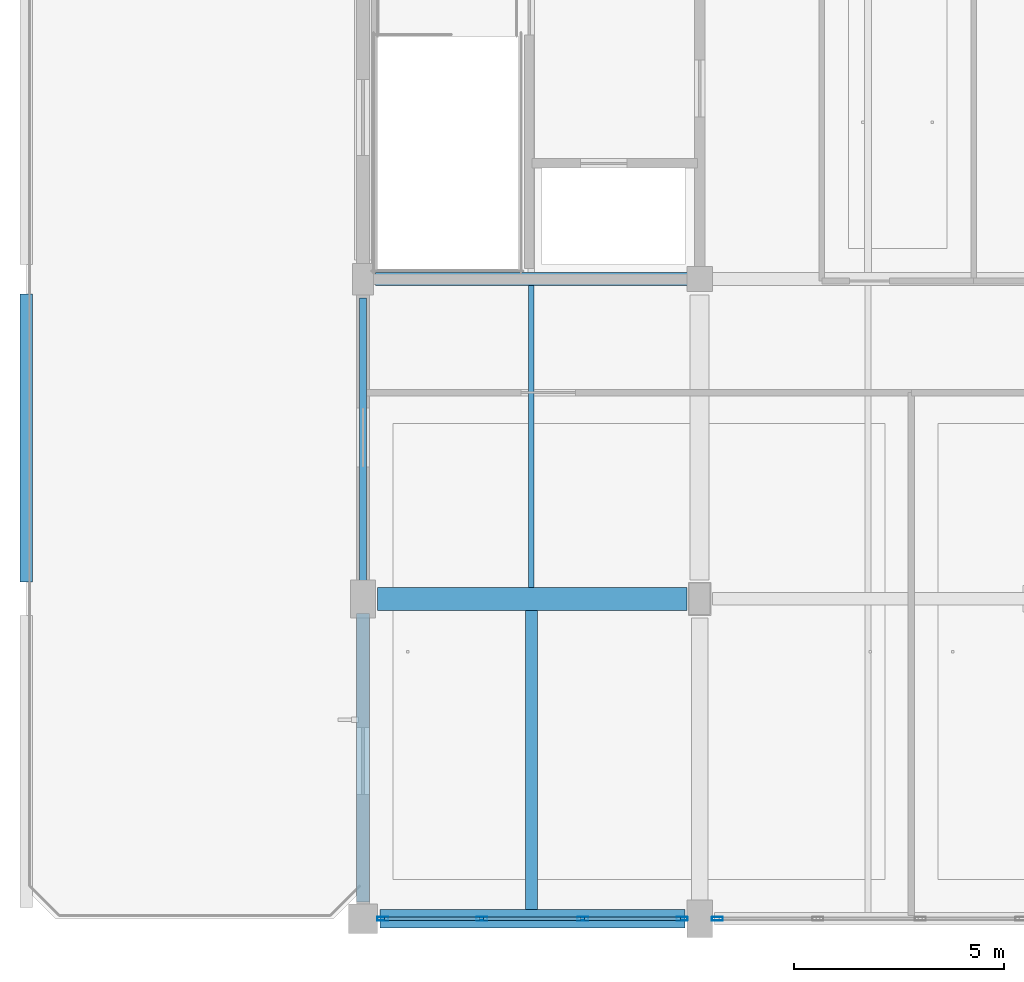
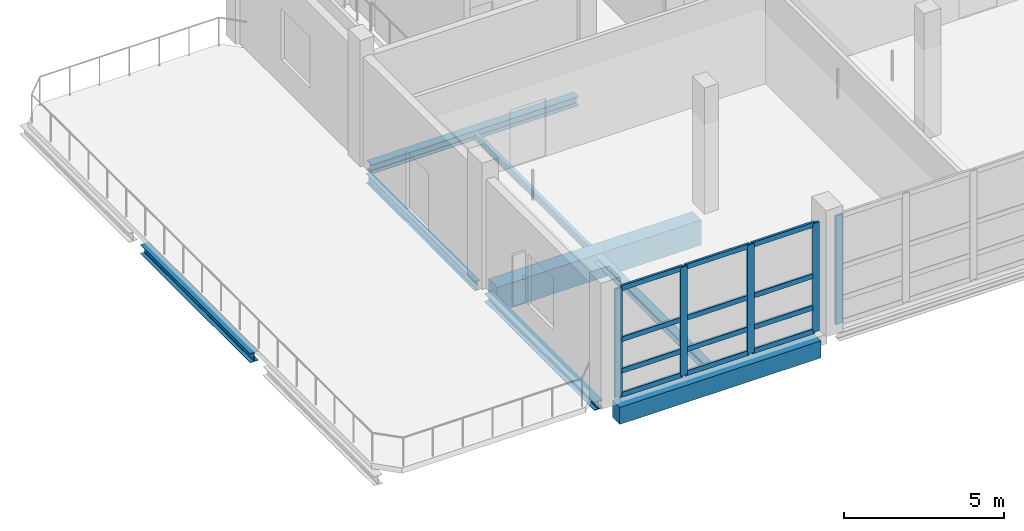
# One storey, part 2 of 18: 17 members, 8 beams, 2 elements without a shape of their own.
"""IFC4 building model written with IfcOpenShell, lengths in metres."""

from ifc_helpers import new_model, si_unit, direction, frame, origin, origin_2d, place, context, subcontext, project, spatial, rectangle, hollow_rectangle, i_section, extrude, material, material_profile, profile_set, type_object, element, aggregate, save


model = new_model("IFC4")

# Units and contexts
model_context = context("Model", 3, precision=1e-05, world=origin(), true_north=direction((0.0, 1.0)))
body_context = subcontext(model_context, "Body", "Model", "MODEL_VIEW")
ifc_project = project(units=[si_unit("LENGTHUNIT", "METRE"), si_unit("AREAUNIT", "SQUARE_METRE"), si_unit("VOLUMEUNIT", "CUBIC_METRE"), si_unit("PLANEANGLEUNIT", "RADIAN"), si_unit("MASSUNIT", "GRAM", prefix="KILO")], contexts=[model_context])

# Site, building, storey
site_placement = place(None, origin())
site = spatial("IfcSite", under=ifc_project, at=site_placement, CompositionType="ELEMENT")
building_placement = place(site_placement, origin())
building = spatial("IfcBuilding", under=site, at=building_placement, Name="Khelvaren Railside Concert Hall", CompositionType="ELEMENT")
storey_placement = place(building_placement, frame((0.0, 0.0, 24.60009765625)))
storey = spatial("IfcBuildingStorey", under=building, at=storey_placement, Name="L05", CompositionType="ELEMENT", Elevation=24.60009765625)

# Beam
ifc_material_1 = material(Name="Steel S355", Category="steel")
ifc_material_profile_1 = material_profile(ifc_material_1, i_section(OverallWidth=0.300048828125, OverallDepth=0.35009765625, WebThickness=0.010009765625, FlangeThickness=0.017578125, FilletRadius=0.027099609375, at=origin_2d()), Name="HEA 360")
ifc_profile_set_1 = profile_set([ifc_material_profile_1], Name="Steel S355")
beam_type_1 = type_object("IfcBeamType", Name="BM73", PredefinedType="BEAM", material=ifc_profile_set_1)
beam_1_placement = place(storey_placement, frame((144.300048828125, 106.39990234375, -0.43505859375), z_axis=(1.0, 0.0, 0.0), x_axis=(0.0, 1.0, 0.0)))
element("IfcBeam", 1, at=beam_1_placement, inside=storey, type_object=beam_type_1, Name="V5 L05 Beam X4.3", PredefinedType="BEAM", context=body_context, shape_type="SweptSolid", body=[
    extrude(i_section(OverallWidth=0.300048828125, OverallDepth=0.35009765625, WebThickness=0.010009765625, FlangeThickness=0.017578125, FilletRadius=0.027099609375, at=origin_2d()), origin(), (0.0, 0.0, 1.0), 7.449951171875),
])

# Curtain wall, members
ifc_material_2 = material(Name="Acoustic laminated crystal facade glass", Category="glass")
curtain_wall_type_1 = type_object("IfcCurtainWallType", Name="CW54", PredefinedType="USERDEFINED", material=ifc_material_2)
curtain_wall_1_placement = place(storey_placement, origin())
curtain_wall_1 = element("IfcCurtainWall", 2, at=curtain_wall_1_placement, inside=storey, type_object=curtain_wall_type_1, Name="Unitised Curtain Wall CW-V5-L05-S-144", ObjectType="UNITISED CURTAIN WALL", PredefinedType="USERDEFINED")
ifc_material_3 = material(Name="Anodised architectural aluminium 6063-T6", Category="aluminium")
ifc_material_profile_2 = material_profile(ifc_material_3, hollow_rectangle(XDim=0.0849609375, YDim=0.260009765625, WallThickness=0.0048828125, InnerFilletRadius=0.0029296875, OuterFilletRadius=0.0048828125, at=origin_2d()), Name="CWM 85x260x5")
ifc_profile_set_2 = profile_set([ifc_material_profile_2], Name="Anodised architectural aluminium 6063-T6")
member_type_1 = type_object("IfcMemberType", Name="CWM40", PredefinedType="MULLION", material=ifc_profile_set_2)
member_1_placement = place(storey_placement, frame((151.580078125, 91.199951171875, 0.0), z_axis=(0.0, 0.0, 1.0), x_axis=(0.0, -1.0, 0.0)))
member_1 = element("IfcMember", 3, at=member_1_placement, type_object=member_type_1, Name="CW54 mullion 1", PredefinedType="MULLION", context=body_context, shape_type="SweptSolid", body=[
    extrude(hollow_rectangle(XDim=0.0849609375, YDim=0.260009765625, WallThickness=0.0048828125, InnerFilletRadius=0.0029296875, OuterFilletRadius=0.0048828125, at=origin_2d()), origin(), (0.0, 0.0, 1.0), 4.139892578125),
])
member_2_placement = place(storey_placement, frame((149.22412109375, 91.199951171875, 0.0), z_axis=(0.0, 0.0, 1.0), x_axis=(0.0, -1.0, 0.0)))
member_2 = element("IfcMember", 4, at=member_2_placement, type_object=member_type_1, Name="CW54 mullion 2", PredefinedType="MULLION", context=body_context, shape_type="SweptSolid", body=[
    extrude(hollow_rectangle(XDim=0.0849609375, YDim=0.260009765625, WallThickness=0.0048828125, InnerFilletRadius=0.0029296875, OuterFilletRadius=0.0048828125, at=origin_2d()), origin(), (0.0, 0.0, 1.0), 4.139892578125),
])
member_3_placement = place(storey_placement, frame((146.825927734375, 91.199951171875, 0.0), z_axis=(0.0, 0.0, 1.0), x_axis=(0.0, -1.0, 0.0)))
member_3 = element("IfcMember", 5, at=member_3_placement, type_object=member_type_1, Name="CW54 mullion 3", PredefinedType="MULLION", context=body_context, shape_type="SweptSolid", body=[
    extrude(hollow_rectangle(XDim=0.0849609375, YDim=0.260009765625, WallThickness=0.0048828125, InnerFilletRadius=0.0029296875, OuterFilletRadius=0.0048828125, at=origin_2d()), origin(), (0.0, 0.0, 1.0), 4.139892578125),
])
member_4_placement = place(storey_placement, frame((144.469970703125, 91.199951171875, 0.0), z_axis=(0.0, 0.0, 1.0), x_axis=(0.0, -1.0, 0.0)))
member_4 = element("IfcMember", 6, at=member_4_placement, type_object=member_type_1, Name="CW54 mullion 4", PredefinedType="MULLION", context=body_context, shape_type="SweptSolid", body=[
    extrude(hollow_rectangle(XDim=0.0849609375, YDim=0.260009765625, WallThickness=0.0048828125, InnerFilletRadius=0.0029296875, OuterFilletRadius=0.0048828125, at=origin_2d()), origin(), (0.0, 0.0, 1.0), 4.139892578125),
])

# Curtain wall, member
curtain_wall_type_2 = type_object("IfcCurtainWallType", Name="CW66", PredefinedType="USERDEFINED", material=ifc_material_2)
curtain_wall_2_placement = place(storey_placement, origin())
curtain_wall_2 = element("IfcCurtainWall", 7, at=curtain_wall_2_placement, inside=storey, type_object=curtain_wall_type_2, Name="Unitised Curtain Wall CW-V5-L05-S-152", ObjectType="UNITISED CURTAIN WALL", PredefinedType="USERDEFINED")
member_5_placement = place(storey_placement, frame((152.419921875, 91.199951171875, 0.0), z_axis=(0.0, 0.0, 1.0), x_axis=(0.0, -1.0, 0.0)))
member_5 = element("IfcMember", 8, at=member_5_placement, type_object=member_type_1, Name="CW66 mullion 4", PredefinedType="MULLION", context=body_context, shape_type="SweptSolid", body=[
    extrude(hollow_rectangle(XDim=0.0849609375, YDim=0.260009765625, WallThickness=0.0048828125, InnerFilletRadius=0.0029296875, OuterFilletRadius=0.0048828125, at=origin_2d()), origin(), (0.0, 0.0, 1.0), 4.139892578125),
])
aggregate(curtain_wall_2, [member_5])

# Member
ifc_material_profile_3 = material_profile(ifc_material_3, hollow_rectangle(XDim=0.0849609375, YDim=0.18994140625, WallThickness=0.0048828125, InnerFilletRadius=0.0029296875, OuterFilletRadius=0.0048828125, at=origin_2d()), Name="CWT 85x190x5")
ifc_profile_set_3 = profile_set([ifc_material_profile_3], Name="Anodised architectural aluminium 6063-T6")
member_type_2 = type_object("IfcMemberType", Name="CWT31", PredefinedType="USERDEFINED", material=ifc_profile_set_3)
member_6_placement = place(storey_placement, frame((151.53759765625, 91.199951171875, 0.04248046875), z_axis=(-1.0, 0.0, 0.0), x_axis=(0.0, -1.0, 0.0)))
member_6 = element("IfcMember", 9, at=member_6_placement, type_object=member_type_2, Name="CW54 transom 1.1", ObjectType="TRANSOM", PredefinedType="USERDEFINED", context=body_context, shape_type="SweptSolid", body=[
    extrude(hollow_rectangle(XDim=0.0849609375, YDim=0.18994140625, WallThickness=0.0048828125, InnerFilletRadius=0.0029296875, OuterFilletRadius=0.0048828125, at=origin_2d()), origin(), (0.0, 0.0, 1.0), 2.27099609375),
])

member_7_placement = place(storey_placement, frame((151.53759765625, 91.199951171875, 0.949951171875), z_axis=(-1.0, 0.0, 0.0), x_axis=(0.0, -1.0, 0.0)))
member_7 = element("IfcMember", 10, at=member_7_placement, type_object=member_type_2, Name="CW54 transom 1.2", ObjectType="TRANSOM", PredefinedType="USERDEFINED", context=body_context, shape_type="SweptSolid", body=[
    extrude(hollow_rectangle(XDim=0.0849609375, YDim=0.18994140625, WallThickness=0.0048828125, InnerFilletRadius=0.0029296875, OuterFilletRadius=0.0048828125, at=origin_2d()), origin(), (0.0, 0.0, 1.0), 2.27099609375),
])

member_8_placement = place(storey_placement, frame((151.53759765625, 91.199951171875, 2.152587890625), z_axis=(-1.0, 0.0, 0.0), x_axis=(0.0, -1.0, 0.0)))
member_8 = element("IfcMember", 11, at=member_8_placement, type_object=member_type_2, Name="CW54 transom 1.3", ObjectType="TRANSOM", PredefinedType="USERDEFINED", context=body_context, shape_type="SweptSolid", body=[
    extrude(hollow_rectangle(XDim=0.0849609375, YDim=0.18994140625, WallThickness=0.0048828125, InnerFilletRadius=0.0029296875, OuterFilletRadius=0.0048828125, at=origin_2d()), origin(), (0.0, 0.0, 1.0), 2.27099609375),
])

member_9_placement = place(storey_placement, frame((151.53759765625, 91.199951171875, 4.097412109375), z_axis=(-1.0, 0.0, 0.0), x_axis=(0.0, -1.0, 0.0)))
member_9 = element("IfcMember", 12, at=member_9_placement, type_object=member_type_2, Name="CW54 transom 1.4", ObjectType="TRANSOM", PredefinedType="USERDEFINED", context=body_context, shape_type="SweptSolid", body=[
    extrude(hollow_rectangle(XDim=0.0849609375, YDim=0.18994140625, WallThickness=0.0048828125, InnerFilletRadius=0.0029296875, OuterFilletRadius=0.0048828125, at=origin_2d()), origin(), (0.0, 0.0, 1.0), 2.27099609375),
])

member_10_placement = place(storey_placement, frame((149.181640625, 91.199951171875, 0.04248046875), z_axis=(-1.0, 0.0, 0.0), x_axis=(0.0, -1.0, 0.0)))
member_10 = element("IfcMember", 13, at=member_10_placement, type_object=member_type_2, Name="CW54 transom 2.1", ObjectType="TRANSOM", PredefinedType="USERDEFINED", context=body_context, shape_type="SweptSolid", body=[
    extrude(hollow_rectangle(XDim=0.0849609375, YDim=0.18994140625, WallThickness=0.0048828125, InnerFilletRadius=0.0029296875, OuterFilletRadius=0.0048828125, at=origin_2d()), origin(), (0.0, 0.0, 1.0), 2.313232421875),
])

member_11_placement = place(storey_placement, frame((149.181640625, 91.199951171875, 0.949951171875), z_axis=(-1.0, 0.0, 0.0), x_axis=(0.0, -1.0, 0.0)))
member_11 = element("IfcMember", 14, at=member_11_placement, type_object=member_type_2, Name="CW54 transom 2.2", ObjectType="TRANSOM", PredefinedType="USERDEFINED", context=body_context, shape_type="SweptSolid", body=[
    extrude(hollow_rectangle(XDim=0.0849609375, YDim=0.18994140625, WallThickness=0.0048828125, InnerFilletRadius=0.0029296875, OuterFilletRadius=0.0048828125, at=origin_2d()), origin(), (0.0, 0.0, 1.0), 2.313232421875),
])

member_12_placement = place(storey_placement, frame((149.181640625, 91.199951171875, 2.152587890625), z_axis=(-1.0, 0.0, 0.0), x_axis=(0.0, -1.0, 0.0)))
member_12 = element("IfcMember", 15, at=member_12_placement, type_object=member_type_2, Name="CW54 transom 2.3", ObjectType="TRANSOM", PredefinedType="USERDEFINED", context=body_context, shape_type="SweptSolid", body=[
    extrude(hollow_rectangle(XDim=0.0849609375, YDim=0.18994140625, WallThickness=0.0048828125, InnerFilletRadius=0.0029296875, OuterFilletRadius=0.0048828125, at=origin_2d()), origin(), (0.0, 0.0, 1.0), 2.313232421875),
])

member_13_placement = place(storey_placement, frame((149.181640625, 91.199951171875, 4.097412109375), z_axis=(-1.0, 0.0, 0.0), x_axis=(0.0, -1.0, 0.0)))
member_13 = element("IfcMember", 16, at=member_13_placement, type_object=member_type_2, Name="CW54 transom 2.4", ObjectType="TRANSOM", PredefinedType="USERDEFINED", context=body_context, shape_type="SweptSolid", body=[
    extrude(hollow_rectangle(XDim=0.0849609375, YDim=0.18994140625, WallThickness=0.0048828125, InnerFilletRadius=0.0029296875, OuterFilletRadius=0.0048828125, at=origin_2d()), origin(), (0.0, 0.0, 1.0), 2.313232421875),
])

member_14_placement = place(storey_placement, frame((146.783447265625, 91.199951171875, 0.04248046875), z_axis=(-1.0, 0.0, 0.0), x_axis=(0.0, -1.0, 0.0)))
member_14 = element("IfcMember", 17, at=member_14_placement, type_object=member_type_2, Name="CW54 transom 3.1", ObjectType="TRANSOM", PredefinedType="USERDEFINED", context=body_context, shape_type="SweptSolid", body=[
    extrude(hollow_rectangle(XDim=0.0849609375, YDim=0.18994140625, WallThickness=0.0048828125, InnerFilletRadius=0.0029296875, OuterFilletRadius=0.0048828125, at=origin_2d()), origin(), (0.0, 0.0, 1.0), 2.27099609375),
])

member_15_placement = place(storey_placement, frame((146.783447265625, 91.199951171875, 0.949951171875), z_axis=(-1.0, 0.0, 0.0), x_axis=(0.0, -1.0, 0.0)))
member_15 = element("IfcMember", 18, at=member_15_placement, type_object=member_type_2, Name="CW54 transom 3.2", ObjectType="TRANSOM", PredefinedType="USERDEFINED", context=body_context, shape_type="SweptSolid", body=[
    extrude(hollow_rectangle(XDim=0.0849609375, YDim=0.18994140625, WallThickness=0.0048828125, InnerFilletRadius=0.0029296875, OuterFilletRadius=0.0048828125, at=origin_2d()), origin(), (0.0, 0.0, 1.0), 2.27099609375),
])

member_16_placement = place(storey_placement, frame((146.783447265625, 91.199951171875, 2.152587890625), z_axis=(-1.0, 0.0, 0.0), x_axis=(0.0, -1.0, 0.0)))
member_16 = element("IfcMember", 19, at=member_16_placement, type_object=member_type_2, Name="CW54 transom 3.3", ObjectType="TRANSOM", PredefinedType="USERDEFINED", context=body_context, shape_type="SweptSolid", body=[
    extrude(hollow_rectangle(XDim=0.0849609375, YDim=0.18994140625, WallThickness=0.0048828125, InnerFilletRadius=0.0029296875, OuterFilletRadius=0.0048828125, at=origin_2d()), origin(), (0.0, 0.0, 1.0), 2.27099609375),
])

member_17_placement = place(storey_placement, frame((146.783447265625, 91.199951171875, 4.097412109375), z_axis=(-1.0, 0.0, 0.0), x_axis=(0.0, -1.0, 0.0)))
member_17 = element("IfcMember", 20, at=member_17_placement, type_object=member_type_2, Name="CW54 transom 3.4", ObjectType="TRANSOM", PredefinedType="USERDEFINED", context=body_context, shape_type="SweptSolid", body=[
    extrude(hollow_rectangle(XDim=0.0849609375, YDim=0.18994140625, WallThickness=0.0048828125, InnerFilletRadius=0.0029296875, OuterFilletRadius=0.0048828125, at=origin_2d()), origin(), (0.0, 0.0, 1.0), 2.27099609375),
])

aggregate(curtain_wall_1, [member_1, member_2, member_3, member_4, member_6, member_7, member_8, member_9, member_10, member_11, member_12, member_13, member_14, member_15, member_16, member_17])

# Beams
ifc_material_4 = material(Name="Concrete C40/50", Category="concrete")
ifc_material_profile_4 = material_profile(ifc_material_4, rectangle(XDim=0.550048828125, YDim=0.949951171875, at=origin_2d()), Name="RCB 550x950")
ifc_profile_set_4 = profile_set([ifc_material_profile_4], Name="Concrete C40/50")
beam_type_2 = type_object("IfcBeamType", Name="GR57", PredefinedType="T_BEAM", material=ifc_profile_set_4)
beam_2_placement = place(storey_placement, frame((144.35009765625, 98.800048828125, -0.735107421875), z_axis=(1.0, 0.0, 0.0), x_axis=(0.0, 1.0, 0.0)))
element("IfcBeam", 21, at=beam_2_placement, inside=storey, type_object=beam_type_2, Name="V5 L05 T_Beam X3.3", PredefinedType="T_BEAM", context=body_context, shape_type="SweptSolid", body=[
    extrude(rectangle(XDim=0.550048828125, YDim=0.949951171875, at=origin_2d()), origin(), (0.0, 0.0, 1.0), 7.349853515625),
])
ifc_material_profile_5 = material_profile(ifc_material_1, i_section(OverallWidth=0.280029296875, OverallDepth=0.27001953125, WebThickness=0.008056640625, FlangeThickness=0.012939453125, FilletRadius=0.02392578125, at=origin_2d()), Name="HEA 280")
ifc_profile_set_5 = profile_set([ifc_material_profile_5], Name="Steel S355")
beam_type_3 = type_object("IfcBeamType", Name="JS46", PredefinedType="JOIST", material=ifc_profile_set_5)
beam_3_placement = place(storey_placement, frame((148.0, 91.425048828125, -0.39501953125), z_axis=(0.0, 1.0, 0.0), x_axis=(-1.0, 0.0, 0.0)))
element("IfcBeam", 22, at=beam_3_placement, inside=storey, type_object=beam_type_3, Name="V5 L05 Secondary Joist 3.2", PredefinedType="JOIST", context=body_context, shape_type="SweptSolid", body=[
    extrude(i_section(OverallWidth=0.280029296875, OverallDepth=0.27001953125, WebThickness=0.008056640625, FlangeThickness=0.012939453125, FilletRadius=0.02392578125, at=origin_2d()), origin(), (0.0, 0.0, 1.0), 7.099853515625),
])
ifc_material_profile_6 = material_profile(ifc_material_1, i_section(OverallWidth=0.135009765625, OverallDepth=0.27001953125, WebThickness=0.006591796875, FlangeThickness=0.01025390625, FilletRadius=0.014892578125, at=origin_2d()), Name="IPE 270")
ifc_profile_set_6 = profile_set([ifc_material_profile_6], Name="Steel S355")
beam_type_4 = type_object("IfcBeamType", Name="JS78", PredefinedType="JOIST", material=ifc_profile_set_6)
beam_4_placement = place(storey_placement, frame((148.0, 99.074951171875, -0.39501953125), z_axis=(0.0, 1.0, 0.0), x_axis=(-1.0, 0.0, 0.0)))
element("IfcBeam", 23, at=beam_4_placement, inside=storey, type_object=beam_type_4, Name="V5 L05 Secondary Joist 3.3", PredefinedType="JOIST", context=body_context, shape_type="SweptSolid", body=[
    extrude(i_section(OverallWidth=0.135009765625, OverallDepth=0.27001953125, WebThickness=0.006591796875, FlangeThickness=0.01025390625, FilletRadius=0.014892578125, at=origin_2d()), origin(), (0.0, 0.0, 1.0), 7.175048828125),
])
ifc_material_profile_7 = material_profile(ifc_material_4, rectangle(XDim=0.449951171875, YDim=0.64990234375, at=origin_2d()), Name="RCB 450x650")
ifc_profile_set_7 = profile_set([ifc_material_profile_7], Name="Concrete C40/50")
beam_type_5 = type_object("IfcBeamType", Name="SP34", PredefinedType="SPANDREL", material=ifc_profile_set_7)
beam_5_placement = place(storey_placement, frame((144.39990234375, 91.199951171875, -0.585205078125), z_axis=(1.0, 0.0, 0.0), x_axis=(0.0, 1.0, 0.0)))
element("IfcBeam", 24, at=beam_5_placement, inside=storey, type_object=beam_type_5, Name="V5 L05 Spandrel X2.3", PredefinedType="SPANDREL", context=body_context, shape_type="SweptSolid", body=[
    extrude(rectangle(XDim=0.449951171875, YDim=0.64990234375, at=origin_2d()), origin(), (0.0, 0.0, 1.0), 7.25),
])
ifc_material_profile_8 = material_profile(ifc_material_1, i_section(OverallWidth=0.300048828125, OverallDepth=0.35009765625, WebThickness=0.010009765625, FlangeThickness=0.017578125, FilletRadius=0.027099609375, at=origin_2d()), Name="HEA 360")
ifc_profile_set_8 = profile_set([ifc_material_profile_8], Name="Steel S355")
beam_type_6 = type_object("IfcBeamType", Name="SP38", PredefinedType="SPANDREL", material=ifc_profile_set_8)
beam_6_placement = place(storey_placement, frame((136.0, 99.199951171875, -0.385009765625), z_axis=(0.0, 1.0, 0.0), x_axis=(-1.0, 0.0, 0.0)))
element("IfcBeam", 25, at=beam_6_placement, inside=storey, type_object=beam_type_6, Name="V5 L05 Terrace Edge Spandrel 31", PredefinedType="SPANDREL", context=body_context, shape_type="SweptSolid", body=[
    extrude(i_section(OverallWidth=0.300048828125, OverallDepth=0.35009765625, WebThickness=0.010009765625, FlangeThickness=0.017578125, FilletRadius=0.027099609375, at=origin_2d()), origin(), (0.0, 0.0, 1.0), 6.85009765625),
])
ifc_material_profile_9 = material_profile(ifc_material_1, i_section(OverallWidth=0.300048828125, OverallDepth=0.31005859375, WebThickness=0.009033203125, FlangeThickness=0.015380859375, FilletRadius=0.027099609375, at=origin_2d()), Name="HEA 320")
ifc_profile_set_9 = profile_set([ifc_material_profile_9], Name="Steel S355")
beam_type_7 = type_object("IfcBeamType", Name="SP66", PredefinedType="SPANDREL", material=ifc_profile_set_9)
beam_7_placement = place(storey_placement, frame((144.0, 91.60009765625, -0.4150390625), z_axis=(0.0, 1.0, 0.0), x_axis=(-1.0, 0.0, 0.0)))
element("IfcBeam", 26, at=beam_7_placement, inside=storey, type_object=beam_type_7, Name="V5 L05 Spandrel Y3.2", PredefinedType="SPANDREL", context=body_context, shape_type="SweptSolid", body=[
    extrude(i_section(OverallWidth=0.300048828125, OverallDepth=0.31005859375, WebThickness=0.009033203125, FlangeThickness=0.015380859375, FilletRadius=0.027099609375, at=origin_2d()), origin(), (0.0, 0.0, 1.0), 6.849853515625),
])
ifc_material_profile_10 = material_profile(ifc_material_1, i_section(OverallWidth=0.169921875, OverallDepth=0.360107421875, WebThickness=0.008056640625, FlangeThickness=0.0126953125, FilletRadius=0.01806640625, at=origin_2d()), Name="IPE 360")
ifc_profile_set_10 = profile_set([ifc_material_profile_10], Name="Steel S355")
beam_type_8 = type_object("IfcBeamType", Name="SP74", PredefinedType="SPANDREL", material=ifc_profile_set_10)
beam_8_placement = place(storey_placement, frame((144.0, 99.14990234375, -0.440185546875), z_axis=(0.0, 1.0, 0.0), x_axis=(-1.0, 0.0, 0.0)))
element("IfcBeam", 27, at=beam_8_placement, inside=storey, type_object=beam_type_8, Name="V5 L05 Spandrel Y3.3", PredefinedType="SPANDREL", context=body_context, shape_type="SweptSolid", body=[
    extrude(i_section(OverallWidth=0.169921875, OverallDepth=0.360107421875, WebThickness=0.008056640625, FlangeThickness=0.0126953125, FilletRadius=0.01806640625, at=origin_2d()), origin(), (0.0, 0.0, 1.0), 6.800048828125),
])

save(model, "model.ifc")
